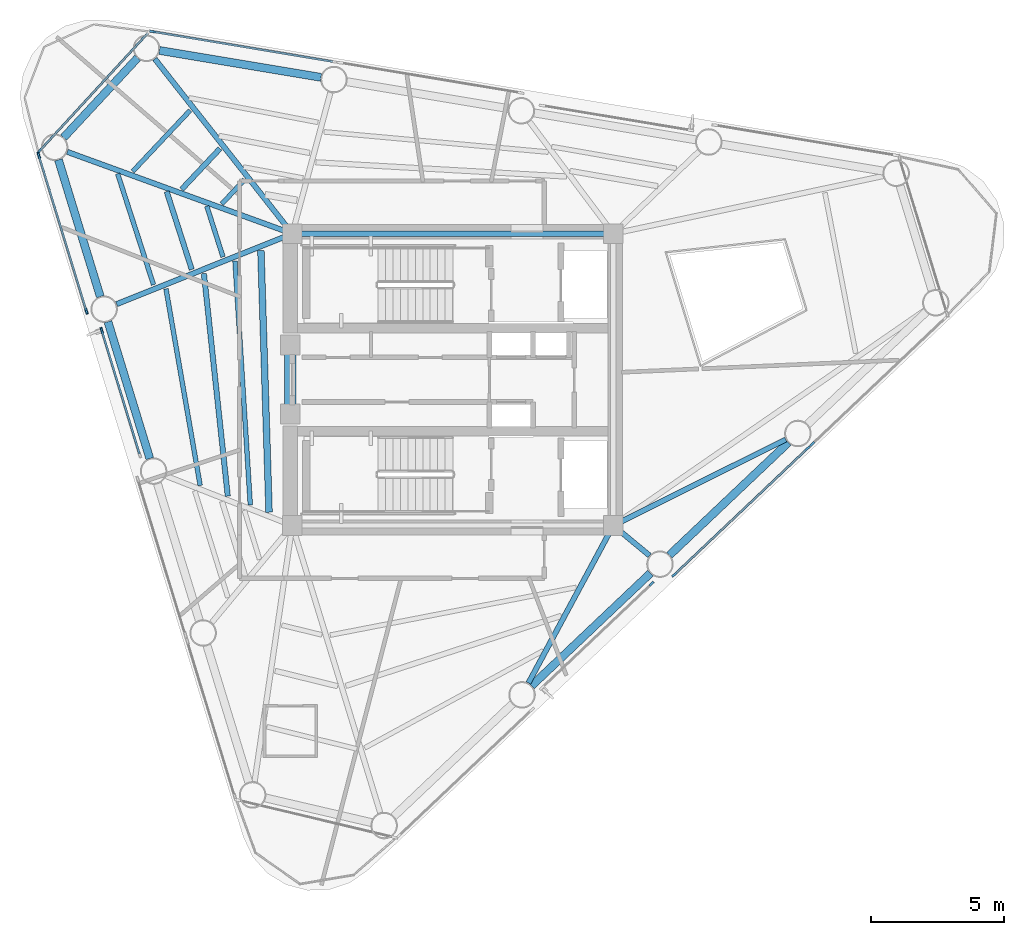
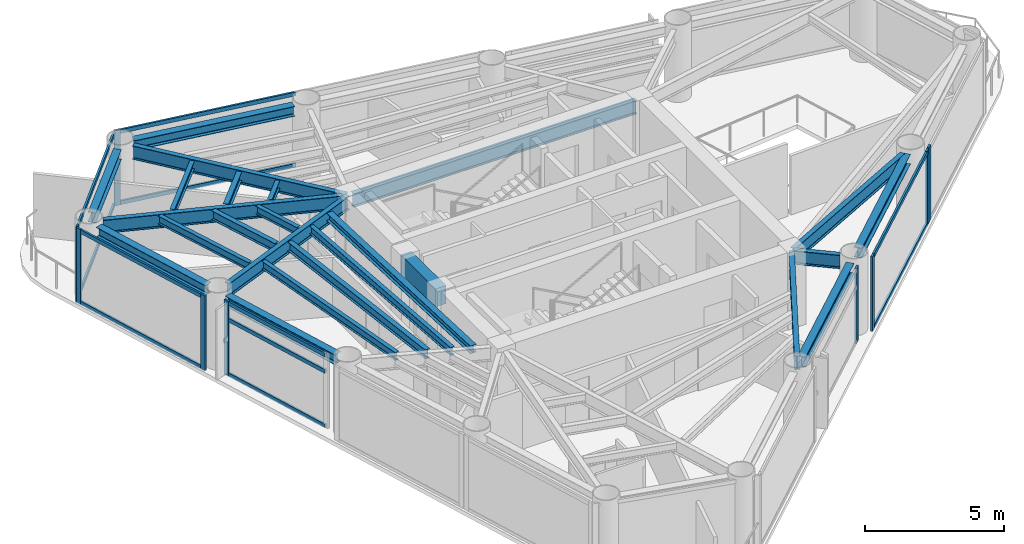
# One storey, part 2 of 8: 24 beams, 20 members, 7 elements without a shape of their own.
"""IFC4 building model written with IfcOpenShell, lengths in metres."""

from ifc_helpers import new_model, si_unit, direction, frame, origin, origin_2d, place, context, subcontext, project, spatial, rectangle, i_section, extrude, source, transform, mapped, material, layer, layer_set, material_profile, profile_set, type_object, element, aggregate, save


model = new_model("IFC4")

# Units and contexts
model_context = context("Model", 3, precision=1e-05, world=origin(), true_north=direction((0.0, 1.0)))
body_context = subcontext(model_context, "Body", "Model", "MODEL_VIEW")
ifc_project = project(units=[si_unit("LENGTHUNIT", "METRE"), si_unit("AREAUNIT", "SQUARE_METRE"), si_unit("VOLUMEUNIT", "CUBIC_METRE"), si_unit("PLANEANGLEUNIT", "RADIAN"), si_unit("MASSUNIT", "GRAM", prefix="KILO")], contexts=[model_context])

# Site, building, storey
site_placement = place(None, origin())
site = spatial("IfcSite", under=ifc_project, at=site_placement, CompositionType="ELEMENT")
building_placement = place(site_placement, origin())
building = spatial("IfcBuilding", under=site, at=building_placement, Name="Yunling Apex Tower", CompositionType="ELEMENT")
storey_placement = place(building_placement, frame((0.0, 0.0, 242.25)))
storey = spatial("IfcBuildingStorey", under=building, at=storey_placement, Name="L59", CompositionType="ELEMENT", Elevation=242.25)

# Beams
ifc_material_1 = material(Name="Concrete C40", Category="concrete")
ifc_material_profile_1 = material_profile(ifc_material_1, rectangle(XDim=0.449951171875, YDim=0.800048828125, at=origin_2d()))
ifc_profile_set_1 = profile_set([ifc_material_profile_1], Name="Concrete C40")
beam_type_1 = type_object("IfcBeamType", Name="BC-CPL-3", PredefinedType="BEAM", material=ifc_profile_set_1)
shared_shape_1 = source(origin(), body_context, "Body", "SweptSolid", [
    extrude(rectangle(XDim=0.449951171875, YDim=0.800048828125, at=origin_2d()), origin(), (0.0, 0.0, 1.0), 2.5),
])
beam_1_placement = place(storey_placement, frame((-6.125, -1.25, 2.820068359375), z_axis=(0.0, 1.0, 0.0), x_axis=(-1.0, 0.0, 0.0)))
element("IfcBeam", 1, at=beam_1_placement, inside=storey, type_object=beam_type_1, Name="L59 Core West Portal Coupling Beam", PredefinedType="BEAM", context=body_context, shape_type="MappedRepresentation", body=[
    mapped(shared_shape_1, transform((0.0, 0.0, 0.0), scale=1.0)),
])
ifc_material_2 = material(Name="Steel Q355B", Category="steel")
ifc_material_profile_2 = material_profile(ifc_material_2, i_section(OverallWidth=0.199951171875, OverallDepth=0.60009765625, WebThickness=0.010986328125, FlangeThickness=0.01708984375, FilletRadius=0.02197265625, at=origin_2d()))
ifc_profile_set_2 = profile_set([ifc_material_profile_2], Name="Steel Q355B")
beam_type_2 = type_object("IfcBeamType", Name="BG-PRI-5", PredefinedType="USERDEFINED", material=ifc_profile_set_2)
shared_shape_2 = source(origin(), body_context, "Body", "SweptSolid", [
    extrude(i_section(OverallWidth=0.199951171875, OverallDepth=0.60009765625, WebThickness=0.010986328125, FlangeThickness=0.01708984375, FilletRadius=0.02197265625, at=origin_2d()), origin(), (0.0, 0.0, 1.0), 11.7998046875),
])
beam_2_placement = place(storey_placement, frame((5.89990234375, 5.5, 2.919921875), z_axis=(-1.0, 0.0, 0.0), x_axis=(0.0, -1.0, 0.0)))
element("IfcBeam", 2, at=beam_2_placement, inside=storey, type_object=beam_type_2, Name="L59 Core Ring Tie Beam 3", ObjectType="GIRDER", PredefinedType="USERDEFINED", context=body_context, shape_type="MappedRepresentation", body=[
    mapped(shared_shape_2, transform((0.0, 0.0, 0.0), scale=1.0)),
])
ifc_material_profile_3 = material_profile(ifc_material_2, i_section(OverallWidth=0.300048828125, OverallDepth=0.43994140625, WebThickness=0.010986328125, FlangeThickness=0.01806640625, FilletRadius=0.02197265625, at=origin_2d()))
ifc_profile_set_3 = profile_set([ifc_material_profile_3], Name="Steel Q355B")
beam_type_3 = type_object("IfcBeamType", Name="BP-SPN-3", PredefinedType="SPANDREL", material=ifc_profile_set_3)
shared_shape_3 = source(origin(), body_context, "Body", "SweptSolid", [
    extrude(i_section(OverallWidth=0.300048828125, OverallDepth=0.43994140625, WebThickness=0.010986328125, FlangeThickness=0.01806640625, FilletRadius=0.02197265625, at=origin_2d()), origin(), (0.0, 0.0, 1.0), 6.17333984375),
])
for number, where, z_axis, x_axis, name in (
    (3, (8.16748046875, -6.6162109375, 3.0), (0.725853952128, 0.687848849807, 0.0), (-0.687848849807, 0.725853952128, 0.0), "L59 Perimeter Spandrel Beam 3"),
    (4, (-4.967041015625, 11.391845703125, 3.0), (-0.986400336233, 0.164360508275, 0.0), (-0.164360508275, -0.986400336233, 0.0), "L59 Perimeter Spandrel Beam 9"),
):
    element("IfcBeam", number, at=place(storey_placement, frame(where, z_axis=z_axis, x_axis=x_axis)), inside=storey, type_object=beam_type_3, Name=name, PredefinedType="SPANDREL", context=body_context, shape_type="MappedRepresentation", body=[
        mapped(shared_shape_3, transform((0.0, 0.0, 0.0), scale=1.0)),
    ])
shared_shape_4 = source(origin(), body_context, "Body", "SweptSolid", [
    extrude(i_section(OverallWidth=0.300048828125, OverallDepth=0.43994140625, WebThickness=0.010986328125, FlangeThickness=0.01806640625, FilletRadius=0.02197265625, at=origin_2d()), origin(), (0.0, 0.0, 1.0), 6.173095703125),
])
beam_3_placement = place(storey_placement, frame((2.969482421875, -11.5419921875, 3.0), z_axis=(0.725873697531, 0.687828012829, 0.0), x_axis=(-0.687828012829, 0.725873697531, 0.0)))
element("IfcBeam", 5, at=beam_3_placement, inside=storey, type_object=beam_type_3, Name="L59 Perimeter Spandrel Beam 2", PredefinedType="SPANDREL", context=body_context, shape_type="MappedRepresentation", body=[
    mapped(shared_shape_4, transform((0.0, 0.0, 0.0), scale=1.0)),
])
shared_shape_5 = source(origin(), body_context, "Body", "SweptSolid", [
    extrude(i_section(OverallWidth=0.300048828125, OverallDepth=0.43994140625, WebThickness=0.010986328125, FlangeThickness=0.01806640625, FilletRadius=0.02197265625, at=origin_2d()), origin(), (0.0, 0.0, 1.0), 4.1015625),
])
beam_4_placement = place(storey_placement, frame((-11.8798828125, 12.125732421875, 3.0), z_axis=(-0.680585789197, -0.732668399443, 0.0), x_axis=(0.732668399443, -0.680585789197, 0.0)))
element("IfcBeam", 6, at=beam_4_placement, inside=storey, type_object=beam_type_3, Name="L59 Perimeter Spandrel Beam 10", PredefinedType="SPANDREL", context=body_context, shape_type="MappedRepresentation", body=[
    mapped(shared_shape_5, transform((0.0, 0.0, 0.0), scale=1.0)),
])
shared_shape_6 = source(origin(), body_context, "Body", "SweptSolid", [
    extrude(i_section(OverallWidth=0.300048828125, OverallDepth=0.43994140625, WebThickness=0.010986328125, FlangeThickness=0.01806640625, FilletRadius=0.02197265625, at=origin_2d()), origin(), (0.0, 0.0, 1.0), 5.39404296875),
])
for number, where, z_axis, x_axis, name in (
    (7, (-14.863037109375, 8.286376953125, 3.0), (0.292393318538, -0.956298147689, 0.0), (0.956298147689, 0.292393318538, 0.0), "L59 Perimeter Spandrel Beam 11"),
    (8, (-12.997314453125, 2.183349609375, 3.0), (0.292380663083, -0.956302017072, 0.0), (0.956302017072, 0.292380663083, 0.0), "L59 Perimeter Spandrel Beam 12"),
):
    element("IfcBeam", number, at=place(storey_placement, frame(where, z_axis=z_axis, x_axis=x_axis)), inside=storey, type_object=beam_type_3, Name=name, PredefinedType="SPANDREL", context=body_context, shape_type="MappedRepresentation", body=[
        mapped(shared_shape_6, transform((0.0, 0.0, 0.0), scale=1.0)),
    ])
shared_shape_7 = source(origin(), body_context, "Body", "SweptSolid", [
    extrude(i_section(OverallWidth=0.199951171875, OverallDepth=0.60009765625, WebThickness=0.010986328125, FlangeThickness=0.01708984375, FilletRadius=0.02197265625, at=origin_2d()), origin(), (0.0, 0.0, 1.0), 6.661865234375),
])
beam_5_placement = place(storey_placement, frame((2.851806640625, -11.434814453125, 2.919921875), z_axis=(0.474372979845, 0.88032396082, 0.0), x_axis=(-0.88032396082, 0.474372979845, 0.0)))
element("IfcBeam", 9, at=beam_5_placement, inside=storey, type_object=beam_type_2, Name="L59 Radial Primary Girder R02", ObjectType="GIRDER", PredefinedType="USERDEFINED", context=body_context, shape_type="MappedRepresentation", body=[
    mapped(shared_shape_7, transform((0.0, 0.0, 0.0), scale=1.0)),
])
shared_shape_8 = source(origin(), body_context, "Body", "SweptSolid", [
    extrude(i_section(OverallWidth=0.199951171875, OverallDepth=0.60009765625, WebThickness=0.010986328125, FlangeThickness=0.01708984375, FilletRadius=0.02197265625, at=origin_2d()), origin(), (0.0, 0.0, 1.0), 1.695556640625),
])
beam_6_placement = place(storey_placement, frame((7.417724609375, -6.632080078125, 2.919921875), z_axis=(-0.770365054174, 0.637603076614, 0.0), x_axis=(-0.637603076614, -0.770365054174, 0.0)))
element("IfcBeam", 10, at=beam_6_placement, inside=storey, type_object=beam_type_2, Name="L59 Radial Primary Girder R03", ObjectType="GIRDER", PredefinedType="USERDEFINED", context=body_context, shape_type="MappedRepresentation", body=[
    mapped(shared_shape_8, transform((0.0, 0.0, 0.0), scale=1.0)),
])
shared_shape_9 = source(origin(), body_context, "Body", "SweptSolid", [
    extrude(i_section(OverallWidth=0.199951171875, OverallDepth=0.60009765625, WebThickness=0.010986328125, FlangeThickness=0.01708984375, FilletRadius=0.02197265625, at=origin_2d()), origin(), (0.0, 0.0, 1.0), 7.1865234375),
])
beam_7_placement = place(storey_placement, frame((12.552490234375, -2.256591796875, 2.919921875), z_axis=(-0.894854827722, -0.446357297803, 0.0), x_axis=(0.446357297803, -0.894854827722, 0.0)))
element("IfcBeam", 11, at=beam_7_placement, inside=storey, type_object=beam_type_2, Name="L59 Radial Primary Girder R04", ObjectType="GIRDER", PredefinedType="USERDEFINED", context=body_context, shape_type="MappedRepresentation", body=[
    mapped(shared_shape_9, transform((0.0, 0.0, 0.0), scale=1.0)),
])
shared_shape_10 = source(origin(), body_context, "Body", "SweptSolid", [
    extrude(i_section(OverallWidth=0.199951171875, OverallDepth=0.60009765625, WebThickness=0.010986328125, FlangeThickness=0.01708984375, FilletRadius=0.02197265625, at=origin_2d()), origin(), (0.0, 0.0, 1.0), 8.300537109375),
])
beam_8_placement = place(storey_placement, frame((-11.229736328125, 12.088134765625, 2.919921875), z_axis=(0.618080016926, -0.786115190463, 0.0), x_axis=(0.786115190463, 0.618080016926, 0.0)))
element("IfcBeam", 12, at=beam_8_placement, inside=storey, type_object=beam_type_2, Name="L59 Radial Primary Girder R10", ObjectType="GIRDER", PredefinedType="USERDEFINED", context=body_context, shape_type="MappedRepresentation", body=[
    mapped(shared_shape_10, transform((0.0, 0.0, 0.0), scale=1.0)),
])
shared_shape_11 = source(origin(), body_context, "Body", "SweptSolid", [
    extrude(i_section(OverallWidth=0.199951171875, OverallDepth=0.60009765625, WebThickness=0.010986328125, FlangeThickness=0.01708984375, FilletRadius=0.02197265625, at=origin_2d()), origin(), (0.0, 0.0, 1.0), 8.943603515625),
])
beam_9_placement = place(storey_placement, frame((-14.530029296875, 8.5849609375, 2.919921875), z_axis=(0.939745593755, -0.341874566205, 0.0), x_axis=(0.341874566205, 0.939745593755, 0.0)))
element("IfcBeam", 13, at=beam_9_placement, inside=storey, type_object=beam_type_2, Name="L59 Radial Primary Girder R11", ObjectType="GIRDER", PredefinedType="USERDEFINED", context=body_context, shape_type="MappedRepresentation", body=[
    mapped(shared_shape_11, transform((0.0, 0.0, 0.0), scale=1.0)),
])
shared_shape_12 = source(origin(), body_context, "Body", "SweptSolid", [
    extrude(i_section(OverallWidth=0.199951171875, OverallDepth=0.60009765625, WebThickness=0.010986328125, FlangeThickness=0.01708984375, FilletRadius=0.02197265625, at=origin_2d()), origin(), (0.0, 0.0, 1.0), 7.052734375),
])
beam_10_placement = place(storey_placement, frame((-12.670166015625, 2.8447265625, 2.919921875), z_axis=(0.928127733356, 0.372261884399, 0.0), x_axis=(-0.372261884399, 0.928127733356, 0.0)))
element("IfcBeam", 14, at=beam_10_placement, inside=storey, type_object=beam_type_2, Name="L59 Radial Primary Girder R12", ObjectType="GIRDER", PredefinedType="USERDEFINED", context=body_context, shape_type="MappedRepresentation", body=[
    mapped(shared_shape_12, transform((0.0, 0.0, 0.0), scale=1.0)),
])
ifc_material_profile_4 = material_profile(ifc_material_2, i_section(OverallWidth=0.199951171875, OverallDepth=0.39990234375, WebThickness=0.008056640625, FlangeThickness=0.012939453125, FilletRadius=0.01611328125, at=origin_2d()))
ifc_profile_set_4 = profile_set([ifc_material_profile_4], Name="Steel Q355B")
beam_type_4 = type_object("IfcBeamType", Name="BS-SEC-4", PredefinedType="BEAM", material=ifc_profile_set_4)
shared_shape_13 = source(origin(), body_context, "Body", "SweptSolid", [
    extrude(i_section(OverallWidth=0.199951171875, OverallDepth=0.39990234375, WebThickness=0.008056640625, FlangeThickness=0.012939453125, FilletRadius=0.01611328125, at=origin_2d()), origin(), (0.0, 0.0, 1.0), 2.108154296875),
])
beam_11_placement = place(storey_placement, frame((-8.774169921875, 8.708984375, 3.02001953125), z_axis=(-0.684880497063, -0.728655408779, 0.0), x_axis=(0.728655408779, -0.684880497063, 0.0)))
element("IfcBeam", 15, at=beam_11_placement, inside=storey, type_object=beam_type_4, Name="L59 Composite Floor Beam BS-10", PredefinedType="BEAM", context=body_context, shape_type="MappedRepresentation", body=[
    mapped(shared_shape_13, transform((0.0, 0.0, 0.0), scale=1.0)),
])
ifc_material_profile_5 = material_profile(ifc_material_2, i_section(OverallWidth=0.175048828125, OverallDepth=0.35009765625, WebThickness=0.007080078125, FlangeThickness=0.010986328125, FilletRadius=0.013916015625, at=origin_2d()))
ifc_profile_set_5 = profile_set([ifc_material_profile_5], Name="Steel Q355B")
beam_type_5 = type_object("IfcBeamType", Name="BJ-JST-1", PredefinedType="JOIST", material=ifc_profile_set_5)
shared_shape_14 = source(origin(), body_context, "Body", "SweptSolid", [
    extrude(i_section(OverallWidth=0.175048828125, OverallDepth=0.35009765625, WebThickness=0.007080078125, FlangeThickness=0.010986328125, FilletRadius=0.013916015625, at=origin_2d()), origin(), (0.0, 0.0, 1.0), 3.157470703125),
])
beam_12_placement = place(storey_placement, frame((-9.903076171875, 10.14453125, 3.044921875), z_axis=(-0.685403289292, -0.728163670494, 0.0), x_axis=(0.728163670494, -0.685403289292, 0.0)))
element("IfcBeam", 16, at=beam_12_placement, inside=storey, type_object=beam_type_5, Name="L59 Composite Floor Joist BJ1-10", PredefinedType="JOIST", context=body_context, shape_type="MappedRepresentation", body=[
    mapped(shared_shape_14, transform((0.0, 0.0, 0.0), scale=1.0)),
])
shared_shape_15 = source(origin(), body_context, "Body", "SweptSolid", [
    extrude(i_section(OverallWidth=0.175048828125, OverallDepth=0.35009765625, WebThickness=0.007080078125, FlangeThickness=0.010986328125, FilletRadius=0.013916015625, at=origin_2d()), origin(), (0.0, 0.0, 1.0), 1.249755859375),
])
beam_13_placement = place(storey_placement, frame((-7.8505859375, 7.5341796875, 3.044921875), z_axis=(-0.683980120085, -0.729500647929, 0.0), x_axis=(0.729500647929, -0.683980120085, 0.0)))
element("IfcBeam", 17, at=beam_13_placement, inside=storey, type_object=beam_type_5, Name="L59 Composite Floor Joist BJ3-10", PredefinedType="JOIST", context=body_context, shape_type="MappedRepresentation", body=[
    mapped(shared_shape_15, transform((0.0, 0.0, 0.0), scale=1.0)),
])
shared_shape_16 = source(origin(), body_context, "Body", "SweptSolid", [
    extrude(i_section(OverallWidth=0.199951171875, OverallDepth=0.39990234375, WebThickness=0.008056640625, FlangeThickness=0.012939453125, FilletRadius=0.01611328125, at=origin_2d()), origin(), (0.0, 0.0, 1.0), 3.083251953125),
])
beam_14_placement = place(storey_placement, frame((-10.782958984375, 7.08740234375, 3.02001953125), z_axis=(0.306209104811, -0.951964276709, 0.0), x_axis=(0.951964276709, 0.306209104811, 0.0)))
element("IfcBeam", 18, at=beam_14_placement, inside=storey, type_object=beam_type_4, Name="L59 Composite Floor Beam BS-11", PredefinedType="BEAM", context=body_context, shape_type="MappedRepresentation", body=[
    mapped(shared_shape_16, transform((0.0, 0.0, 0.0), scale=1.0)),
])
shared_shape_17 = source(origin(), body_context, "Body", "SweptSolid", [
    extrude(i_section(OverallWidth=0.175048828125, OverallDepth=0.35009765625, WebThickness=0.007080078125, FlangeThickness=0.010986328125, FilletRadius=0.013916015625, at=origin_2d()), origin(), (0.0, 0.0, 1.0), 4.3984375),
])
beam_15_placement = place(storey_placement, frame((-12.6318359375, 7.760009765625, 3.044921875), z_axis=(0.307505485962, -0.951546307913, 0.0), x_axis=(0.951546307913, 0.307505485962, 0.0)))
element("IfcBeam", 19, at=beam_15_placement, inside=storey, type_object=beam_type_5, Name="L59 Composite Floor Joist BJ1-11", PredefinedType="JOIST", context=body_context, shape_type="MappedRepresentation", body=[
    mapped(shared_shape_17, transform((0.0, 0.0, 0.0), scale=1.0)),
])
shared_shape_18 = source(origin(), body_context, "Body", "SweptSolid", [
    extrude(i_section(OverallWidth=0.175048828125, OverallDepth=0.35009765625, WebThickness=0.007080078125, FlangeThickness=0.010986328125, FilletRadius=0.013916015625, at=origin_2d()), origin(), (0.0, 0.0, 1.0), 2.0068359375),
])
beam_16_placement = place(storey_placement, frame((-9.2705078125, 6.536865234375, 3.044921875), z_axis=(0.304011984445, -0.95266820736, 0.0), x_axis=(0.95266820736, 0.304011984445, 0.0)))
element("IfcBeam", 20, at=beam_16_placement, inside=storey, type_object=beam_type_5, Name="L59 Composite Floor Joist BJ3-11", PredefinedType="JOIST", context=body_context, shape_type="MappedRepresentation", body=[
    mapped(shared_shape_18, transform((0.0, 0.0, 0.0), scale=1.0)),
])
shared_shape_19 = source(origin(), body_context, "Body", "SweptSolid", [
    extrude(i_section(OverallWidth=0.199951171875, OverallDepth=0.39990234375, WebThickness=0.008056640625, FlangeThickness=0.012939453125, FilletRadius=0.01611328125, at=origin_2d()), origin(), (0.0, 0.0, 1.0), 8.439208984375),
])
beam_17_placement = place(storey_placement, frame((-9.380126953125, 3.998291015625, 3.02001953125), z_axis=(0.106576025189, -0.994304556389, 0.0), x_axis=(0.994304556389, 0.106576025189, 0.0)))
element("IfcBeam", 21, at=beam_17_placement, inside=storey, type_object=beam_type_4, Name="L59 Composite Floor Beam BS-12", PredefinedType="BEAM", context=body_context, shape_type="MappedRepresentation", body=[
    mapped(shared_shape_19, transform((0.0, 0.0, 0.0), scale=1.0)),
])
shared_shape_20 = source(origin(), body_context, "Body", "SweptSolid", [
    extrude(i_section(OverallWidth=0.175048828125, OverallDepth=0.35009765625, WebThickness=0.007080078125, FlangeThickness=0.010986328125, FilletRadius=0.013916015625, at=origin_2d()), origin(), (0.0, 0.0, 1.0), 7.523681640625),
])
beam_18_placement = place(storey_placement, frame((-10.809814453125, 3.42236328125, 3.044921875), z_axis=(0.171367194042, -0.985207229372, 0.0), x_axis=(0.985207229372, 0.171367194042, 0.0)))
element("IfcBeam", 22, at=beam_18_placement, inside=storey, type_object=beam_type_5, Name="L59 Composite Floor Joist BJ1-12", PredefinedType="JOIST", context=body_context, shape_type="MappedRepresentation", body=[
    mapped(shared_shape_20, transform((0.0, 0.0, 0.0), scale=1.0)),
])
shared_shape_21 = source(origin(), body_context, "Body", "SweptSolid", [
    extrude(i_section(OverallWidth=0.175048828125, OverallDepth=0.35009765625, WebThickness=0.007080078125, FlangeThickness=0.010986328125, FilletRadius=0.013916015625, at=origin_2d()), origin(), (0.0, 0.0, 1.0), 9.211669921875),
])
beam_19_placement = place(storey_placement, frame((-8.208984375, 4.470458984375, 3.044921875), z_axis=(0.062680234959, -0.998033660828, 0.0), x_axis=(0.998033660828, 0.062680234959, 0.0)))
element("IfcBeam", 23, at=beam_19_placement, inside=storey, type_object=beam_type_5, Name="L59 Composite Floor Joist BJ3-12", PredefinedType="JOIST", context=body_context, shape_type="MappedRepresentation", body=[
    mapped(shared_shape_21, transform((0.0, 0.0, 0.0), scale=1.0)),
])
ifc_material_profile_6 = material_profile(ifc_material_2, i_section(OverallWidth=0.25, OverallDepth=0.340087890625, WebThickness=0.009033203125, FlangeThickness=0.013916015625, FilletRadius=0.01806640625, at=origin_2d()))
ifc_profile_set_6 = profile_set([ifc_material_profile_6], Name="Steel Q355B")
beam_type_6 = type_object("IfcBeamType", Name="BJ-JST-2", PredefinedType="JOIST", material=ifc_profile_set_6)
shared_shape_22 = source(origin(), body_context, "Body", "SweptSolid", [
    extrude(i_section(OverallWidth=0.25, OverallDepth=0.340087890625, WebThickness=0.009033203125, FlangeThickness=0.013916015625, FilletRadius=0.01806640625, at=origin_2d()), origin(), (0.0, 0.0, 1.0), 9.867431640625),
])
beam_20_placement = place(storey_placement, frame((-7.232177734375, 4.864013671875, 3.050048828125), z_axis=(0.03115055603, -0.999514703673, 0.0), x_axis=(0.999514703673, 0.03115055603, 0.0)))
element("IfcBeam", 24, at=beam_20_placement, inside=storey, type_object=beam_type_6, Name="L59 Composite Floor Joist BJ2-12", PredefinedType="JOIST", context=body_context, shape_type="MappedRepresentation", body=[
    mapped(shared_shape_22, transform((0.0, 0.0, 0.0), scale=1.0)),
])

# Curtain wall, members
ifc_material_3 = material(Name="Bronze anodised aluminium", Category="aluminium")
ifc_layer = layer(ifc_material_3, 0.219970703125)
ifc_layer_set = layer_set([ifc_layer], Name="Bronze anodised aluminium")
curtain_wall_type = type_object("IfcCurtainWallType", Name="CW-SYS-4", PredefinedType="NOTDEFINED", material=ifc_layer_set)
curtain_wall_1_placement = place(storey_placement, origin())
curtain_wall_1 = element("IfcCurtainWall", 25, at=curtain_wall_1_placement, inside=storey, type_object=curtain_wall_type, Name="CW-L59-F1-B3", PredefinedType="NOTDEFINED")
ifc_material_profile_7 = material_profile(ifc_material_3, rectangle(XDim=0.080078125, YDim=0.169921875, at=origin_2d()))
ifc_profile_set_7 = profile_set([ifc_material_profile_7], Name="Bronze anodised aluminium")
member_type_1 = type_object("IfcMemberType", Name="CW-TRN-4", PredefinedType="USERDEFINED", material=ifc_profile_set_7)
shared_shape_23 = source(origin(), body_context, "Body", "SweptSolid", [
    extrude(rectangle(XDim=0.080078125, YDim=0.169921875, at=origin_2d()), origin(), (0.0, 0.0, 1.0), 6.849365234375),
])
member_1_placement = place(storey_placement, frame((8.376220703125, -7.32763671875, 0.0400390625), z_axis=(0.725867443411, 0.687834612822, 0.0), x_axis=(-0.687834612822, 0.725867443411, 0.0)))
member_1 = element("IfcMember", 26, at=member_1_placement, type_object=member_type_1, Name="CW-SYS-4 transom 1.1", ObjectType="TRANSOM", PredefinedType="USERDEFINED", context=body_context, shape_type="MappedRepresentation", body=[
    mapped(shared_shape_23, transform((0.0, 0.0, 0.0), scale=1.0)),
])
member_2_placement = place(storey_placement, frame((8.376220703125, -7.32763671875, 3.179931640625), z_axis=(0.725867443411, 0.687834612822, 0.0), x_axis=(-0.687834612822, 0.725867443411, 0.0)))
member_2 = element("IfcMember", 27, at=member_2_placement, type_object=member_type_1, Name="CW-SYS-4 transom 1.2", ObjectType="TRANSOM", PredefinedType="USERDEFINED", context=body_context, shape_type="MappedRepresentation", body=[
    mapped(shared_shape_23, transform((0.0, 0.0, 0.0), scale=1.0)),
])

curtain_wall_2_placement = place(storey_placement, origin())
curtain_wall_2 = element("IfcCurtainWall", 28, at=curtain_wall_2_placement, inside=storey, type_object=curtain_wall_type, Name="CW-L59-F2-B4", PredefinedType="NOTDEFINED")
shared_shape_24 = source(origin(), body_context, "Body", "SweptSolid", [
    extrude(rectangle(XDim=0.080078125, YDim=0.169921875, at=origin_2d()), origin(), (0.0, 0.0, 1.0), 6.849609375),
])
member_3_placement = place(storey_placement, frame((-4.525146484375, 11.9873046875, 0.0400390625), z_axis=(-0.986401629478, 0.164352746749, 0.0), x_axis=(-0.164352746749, -0.986401629478, 0.0)))
member_3 = element("IfcMember", 29, at=member_3_placement, type_object=member_type_1, Name="CW-SYS-4 transom 1.1", ObjectType="TRANSOM", PredefinedType="USERDEFINED", context=body_context, shape_type="MappedRepresentation", body=[
    mapped(shared_shape_24, transform((0.0, 0.0, 0.0), scale=1.0)),
])
member_4_placement = place(storey_placement, frame((-4.525146484375, 11.9873046875, 3.179931640625), z_axis=(-0.986401629478, 0.164352746749, 0.0), x_axis=(-0.164352746749, -0.986401629478, 0.0)))
member_4 = element("IfcMember", 30, at=member_4_placement, type_object=member_type_1, Name="CW-SYS-4 transom 1.2", ObjectType="TRANSOM", PredefinedType="USERDEFINED", context=body_context, shape_type="MappedRepresentation", body=[
    mapped(shared_shape_24, transform((0.0, 0.0, 0.0), scale=1.0)),
])

curtain_wall_3_placement = place(storey_placement, origin())
curtain_wall_3 = element("IfcCurtainWall", 31, at=curtain_wall_3_placement, inside=storey, type_object=curtain_wall_type, Name="CW-L59-CRN2", PredefinedType="NOTDEFINED")
shared_shape_25 = source(origin(), body_context, "Body", "SweptSolid", [
    extrude(rectangle(XDim=0.080078125, YDim=0.169921875, at=origin_2d()), origin(), (0.0, 0.0, 1.0), 6.025390625),
])
member_5_placement = place(storey_placement, frame((-11.489990234375, 13.06298828125, 0.0400390625), z_axis=(-0.676824761053, -0.736144172582, 0.0), x_axis=(0.736144172582, -0.676824761053, 0.0)))
member_5 = element("IfcMember", 32, at=member_5_placement, type_object=member_type_1, Name="CW-SYS-4 transom 1.1", ObjectType="TRANSOM", PredefinedType="USERDEFINED", context=body_context, shape_type="MappedRepresentation", body=[
    mapped(shared_shape_25, transform((0.0, 0.0, 0.0), scale=1.0)),
])
member_6_placement = place(storey_placement, frame((-11.489990234375, 13.06298828125, 3.179931640625), z_axis=(-0.676824761053, -0.736144172582, 0.0), x_axis=(0.736144172582, -0.676824761053, 0.0)))
member_6 = element("IfcMember", 33, at=member_6_placement, type_object=member_type_1, Name="CW-SYS-4 transom 1.2", ObjectType="TRANSOM", PredefinedType="USERDEFINED", context=body_context, shape_type="MappedRepresentation", body=[
    mapped(shared_shape_25, transform((0.0, 0.0, 0.0), scale=1.0)),
])

curtain_wall_4_placement = place(storey_placement, origin())
curtain_wall_4 = element("IfcCurtainWall", 34, at=curtain_wall_4_placement, inside=storey, type_object=curtain_wall_type, Name="CW-L59-F3-B1", PredefinedType="NOTDEFINED")
shared_shape_26 = source(origin(), body_context, "Body", "SweptSolid", [
    extrude(rectangle(XDim=0.080078125, YDim=0.169921875, at=origin_2d()), origin(), (0.0, 0.0, 1.0), 6.06982421875),
])
member_7_placement = place(storey_placement, frame((-15.593017578125, 8.41650390625, 0.0400390625), z_axis=(0.292369766892, -0.956305348415, 0.0), x_axis=(0.956305348415, 0.292369766892, 0.0)))
member_7 = element("IfcMember", 35, at=member_7_placement, type_object=member_type_1, Name="CW-SYS-4 transom 1.1", ObjectType="TRANSOM", PredefinedType="USERDEFINED", context=body_context, shape_type="MappedRepresentation", body=[
    mapped(shared_shape_26, transform((0.0, 0.0, 0.0), scale=1.0)),
])
member_8_placement = place(storey_placement, frame((-15.593017578125, 8.41650390625, 3.179931640625), z_axis=(0.292369766892, -0.956305348415, 0.0), x_axis=(0.956305348415, 0.292369766892, 0.0)))
member_8 = element("IfcMember", 36, at=member_8_placement, type_object=member_type_1, Name="CW-SYS-4 transom 1.2", ObjectType="TRANSOM", PredefinedType="USERDEFINED", context=body_context, shape_type="MappedRepresentation", body=[
    mapped(shared_shape_26, transform((0.0, 0.0, 0.0), scale=1.0)),
])

curtain_wall_5_placement = place(storey_placement, origin())
curtain_wall_5 = element("IfcCurtainWall", 37, at=curtain_wall_5_placement, inside=storey, type_object=curtain_wall_type, Name="CW-L59-F3-B2", PredefinedType="NOTDEFINED")
shared_shape_27 = source(origin(), body_context, "Body", "SweptSolid", [
    extrude(rectangle(XDim=0.080078125, YDim=0.169921875, at=origin_2d()), origin(), (0.0, 0.0, 1.0), 4.829833984375),
])
member_9_placement = place(storey_placement, frame((-13.220703125, 1.820068359375, 0.0400390625), z_axis=(0.292366214736, -0.956306434403, 0.0), x_axis=(0.956306434403, 0.292366214736, 0.0)))
member_9 = element("IfcMember", 38, at=member_9_placement, type_object=member_type_1, Name="CW-SYS-4 transom 1.1", ObjectType="TRANSOM", PredefinedType="USERDEFINED", context=body_context, shape_type="MappedRepresentation", body=[
    mapped(shared_shape_27, transform((0.0, 0.0, 0.0), scale=1.0)),
])
member_10_placement = place(storey_placement, frame((-13.220703125, 1.820068359375, 2.447265625), z_axis=(0.292366214736, -0.956306434403, 0.0), x_axis=(0.956306434403, 0.292366214736, 0.0)))
member_10 = element("IfcMember", 39, at=member_10_placement, type_object=member_type_1, Name="CW-SYS-4 transom 1.2", ObjectType="TRANSOM", PredefinedType="USERDEFINED", context=body_context, shape_type="MappedRepresentation", body=[
    mapped(shared_shape_27, transform((0.0, 0.0, 0.0), scale=1.0)),
])
member_11_placement = place(storey_placement, frame((-13.220703125, 1.820068359375, 3.179931640625), z_axis=(0.292366214736, -0.956306434403, 0.0), x_axis=(0.956306434403, 0.292366214736, 0.0)))
member_11 = element("IfcMember", 40, at=member_11_placement, type_object=member_type_1, Name="CW-SYS-4 transom 1.3", ObjectType="TRANSOM", PredefinedType="USERDEFINED", context=body_context, shape_type="MappedRepresentation", body=[
    mapped(shared_shape_27, transform((0.0, 0.0, 0.0), scale=1.0)),
])

# Curtain wall, member
curtain_wall_6_placement = place(storey_placement, origin())
curtain_wall_6 = element("IfcCurtainWall", 41, at=curtain_wall_6_placement, inside=storey, type_object=curtain_wall_type, Name="CW-L59-F1-B2", PredefinedType="NOTDEFINED")
ifc_material_profile_8 = material_profile(ifc_material_3, rectangle(XDim=0.080078125, YDim=0.219970703125, at=origin_2d()))
ifc_profile_set_8 = profile_set([ifc_material_profile_8], Name="Bronze anodised aluminium")
member_type_2 = type_object("IfcMemberType", Name="CW-MUL-4", PredefinedType="MULLION", material=ifc_profile_set_8)
shared_shape_28 = source(origin(), body_context, "Body", "SweptSolid", [
    extrude(rectangle(XDim=0.080078125, YDim=0.219970703125, at=origin_2d()), origin(), (0.0, 0.0, 1.0), 3.320068359375),
])
member_12_placement = place(storey_placement, frame((7.491943359375, -7.697265625, -0.050048828125), z_axis=(0.0, 0.0, 1.0), x_axis=(-0.687854406681, 0.725848686167, 0.0)))
member_12 = element("IfcMember", 42, at=member_12_placement, type_object=member_type_2, Name="CW-SYS-4 mullion 2", PredefinedType="MULLION", context=body_context, shape_type="MappedRepresentation", body=[
    mapped(shared_shape_28, transform((0.0, 0.0, 0.0), scale=1.0)),
])
aggregate(curtain_wall_6, [member_12])

# Member
member_13_placement = place(storey_placement, frame((8.35009765625, -7.3525390625, -0.050048828125), z_axis=(0.0, 0.0, 1.0), x_axis=(-0.687848040467, 0.72585471909, 0.0)))
member_13 = element("IfcMember", 43, at=member_13_placement, type_object=member_type_2, Name="CW-SYS-4 mullion 1", PredefinedType="MULLION", context=body_context, shape_type="MappedRepresentation", body=[
    mapped(shared_shape_28, transform((0.0, 0.0, 0.0), scale=1.0)),
])

member_14_placement = place(storey_placement, frame((13.3740234375, -2.591552734375, -0.050048828125), z_axis=(0.0, 0.0, 1.0), x_axis=(-0.687848040467, 0.72585471909, 0.0)))
member_14 = element("IfcMember", 44, at=member_14_placement, type_object=member_type_2, Name="CW-SYS-4 mullion 2", PredefinedType="MULLION", context=body_context, shape_type="MappedRepresentation", body=[
    mapped(shared_shape_28, transform((0.0, 0.0, 0.0), scale=1.0)),
])

aggregate(curtain_wall_1, [member_13, member_14, member_1, member_2])

# Curtain wall, member
curtain_wall_7_placement = place(storey_placement, origin())
curtain_wall_7 = element("IfcCurtainWall", 45, at=curtain_wall_7_placement, inside=storey, type_object=curtain_wall_type, Name="CW-L59-F1-B4", PredefinedType="NOTDEFINED")
member_15_placement = place(storey_placement, frame((13.54833984375, -2.426513671875, -0.050048828125), z_axis=(0.0, 0.0, 1.0), x_axis=(-0.687848040467, 0.72585471909, 0.0)))
member_15 = element("IfcMember", 46, at=member_15_placement, type_object=member_type_2, Name="CW-SYS-4 mullion 1", PredefinedType="MULLION", context=body_context, shape_type="MappedRepresentation", body=[
    mapped(shared_shape_28, transform((0.0, 0.0, 0.0), scale=1.0)),
])
aggregate(curtain_wall_7, [member_15])

# Member
member_16_placement = place(storey_placement, frame((-11.31689453125, 13.118896484375, -0.050048828125), z_axis=(0.0, 0.0, 1.0), x_axis=(-0.164352664392, -0.9864016432, 0.0)))
member_16 = element("IfcMember", 47, at=member_16_placement, type_object=member_type_2, Name="CW-SYS-4 mullion 2", PredefinedType="MULLION", context=body_context, shape_type="MappedRepresentation", body=[
    mapped(shared_shape_28, transform((0.0, 0.0, 0.0), scale=1.0)),
])

aggregate(curtain_wall_2, [member_16, member_3, member_4])

member_17_placement = place(storey_placement, frame((-15.592529296875, 8.60107421875, -0.050048828125), z_axis=(0.0, 0.0, 1.0), x_axis=(0.736133922549, -0.676835909266, 0.0)))
member_17 = element("IfcMember", 48, at=member_17_placement, type_object=member_type_2, Name="CW-SYS-4 mullion 2", PredefinedType="MULLION", context=body_context, shape_type="MappedRepresentation", body=[
    mapped(shared_shape_28, transform((0.0, 0.0, 0.0), scale=1.0)),
])

aggregate(curtain_wall_3, [member_17, member_5, member_6])

member_18_placement = place(storey_placement, frame((-15.603515625, 8.450927734375, -0.050048828125), z_axis=(0.0, 0.0, 1.0), x_axis=(0.956304646078, 0.29237206414, 0.0)))
member_18 = element("IfcMember", 49, at=member_18_placement, type_object=member_type_2, Name="CW-SYS-4 mullion 1", PredefinedType="MULLION", context=body_context, shape_type="MappedRepresentation", body=[
    mapped(shared_shape_28, transform((0.0, 0.0, 0.0), scale=1.0)),
])

member_19_placement = place(storey_placement, frame((-13.807861328125, 2.577392578125, -0.050048828125), z_axis=(0.0, 0.0, 1.0), x_axis=(0.956304646078, 0.29237206414, 0.0)))
member_19 = element("IfcMember", 50, at=member_19_placement, type_object=member_type_2, Name="CW-SYS-4 mullion 2", PredefinedType="MULLION", context=body_context, shape_type="MappedRepresentation", body=[
    mapped(shared_shape_28, transform((0.0, 0.0, 0.0), scale=1.0)),
])

aggregate(curtain_wall_4, [member_18, member_19, member_7, member_8])

member_20_placement = place(storey_placement, frame((-13.231201171875, 1.8544921875, -0.050048828125), z_axis=(0.0, 0.0, 1.0), x_axis=(0.956304345474, 0.29237304737, 0.0)))
member_20 = element("IfcMember", 51, at=member_20_placement, type_object=member_type_2, Name="CW-SYS-4 mullion 1", PredefinedType="MULLION", context=body_context, shape_type="MappedRepresentation", body=[
    mapped(shared_shape_28, transform((0.0, 0.0, 0.0), scale=1.0)),
])

aggregate(curtain_wall_5, [member_20, member_9, member_10, member_11])

save(model, "model.ifc")
